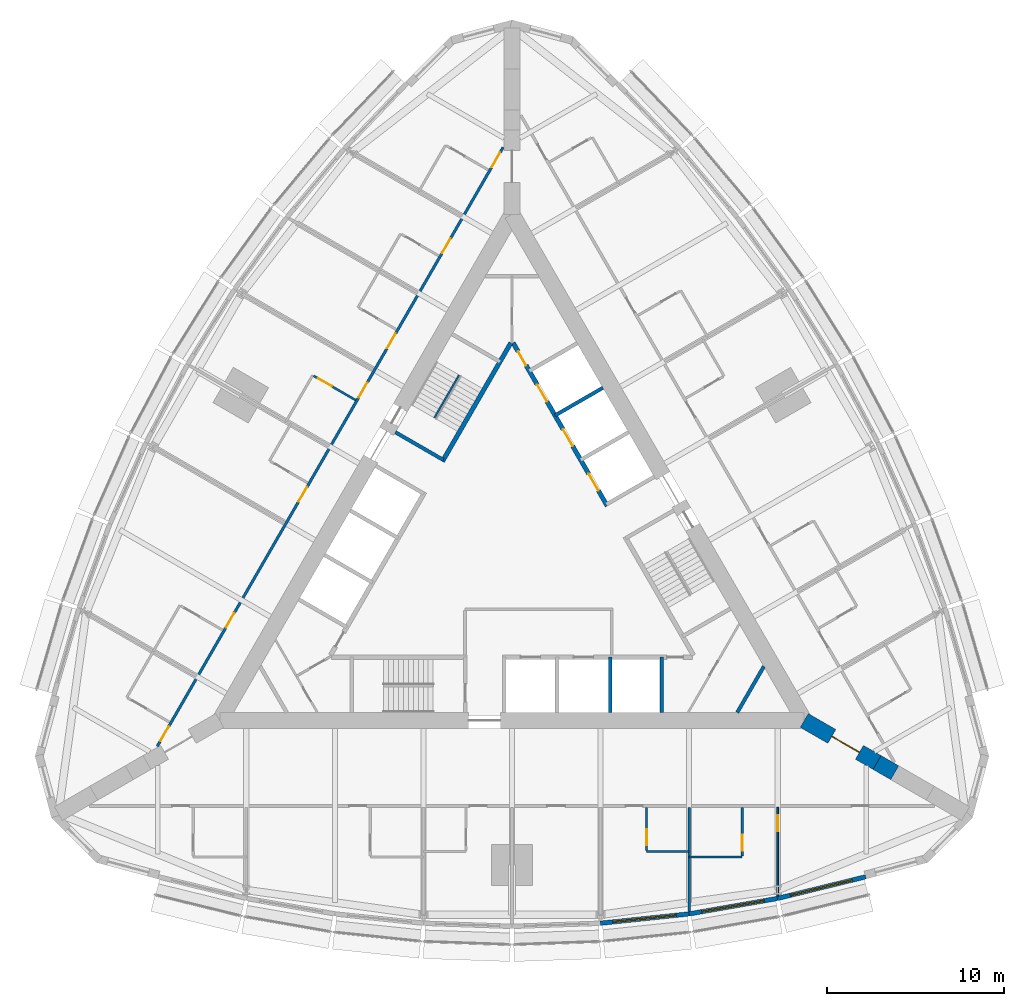
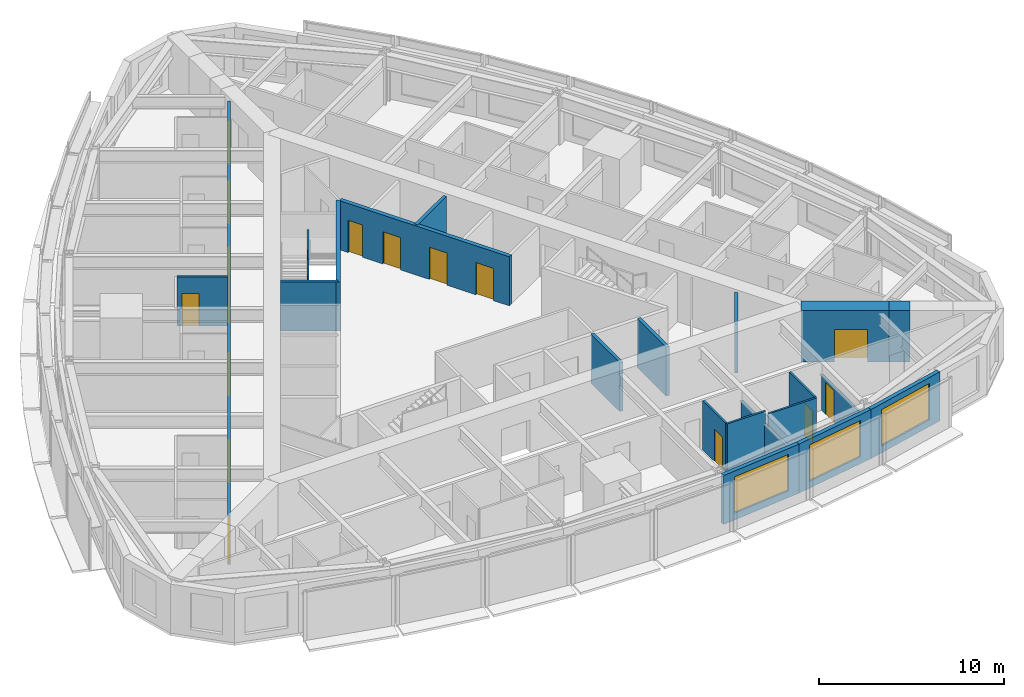
# One storey, part 10 of 14: 21 walls, 16 doors, 3 windows, 19 openings.
"""IFC4 building model written with IfcOpenShell, lengths in metres."""

from ifc_helpers import new_model, si_unit, direction, frame, frame_2d, origin, place, context, subcontext, project, spatial, rectangle, extrude, material, layer, layer_set, type_object, element, fill, save


model = new_model("IFC4")

# Units and contexts
model_context = context("Model", 3, precision=1e-05, world=origin(), true_north=direction((0.0, 1.0)))
body_context = subcontext(model_context, "Body", "Model", "MODEL_VIEW")
ifc_project = project(units=[si_unit("LENGTHUNIT", "METRE"), si_unit("AREAUNIT", "SQUARE_METRE"), si_unit("VOLUMEUNIT", "CUBIC_METRE"), si_unit("PLANEANGLEUNIT", "RADIAN"), si_unit("MASSUNIT", "GRAM", prefix="KILO")], contexts=[model_context])

# Site, building, storey
site_placement = place(None, origin())
site = spatial("IfcSite", under=ifc_project, at=site_placement, CompositionType="ELEMENT")
building_placement = place(site_placement, origin())
building = spatial("IfcBuilding", under=site, at=building_placement, Name="Trikona Tower", CompositionType="ELEMENT")
storey_placement = place(building_placement, frame((0.0, 0.0, 128.300048828125)))
storey = spatial("IfcBuildingStorey", under=building, at=storey_placement, Name="L33", CompositionType="ELEMENT", Elevation=128.300048828125)

# Wall
ifc_material_1 = material(Name="Metal stud and cement board", Category="gypsum")
ifc_layer_1 = layer(ifc_material_1, 0.1201171875)
ifc_layer_set_1 = layer_set([ifc_layer_1], Name="Bathroom wall 120")
wall_type_1 = type_object("IfcWallType", Name="Bathroom wall 120", PredefinedType="PLUMBINGWALL", material=ifc_layer_set_1)
wall_1_placement = place(storey_placement, frame((7.60009765625, -16.92626953125, 0.0), z_axis=(0.0, 0.0, 1.0), x_axis=(1.0, 0.0, 0.0)))
element("IfcWall", 1, at=wall_1_placement, inside=storey, type_object=wall_type_1, Name="Bathroom wall 3304", PredefinedType="PLUMBINGWALL", context=body_context, shape_type="SweptSolid", body=[
    extrude(rectangle(XDim=2.39990234375, YDim=0.1201171875, at=frame_2d((1.199951171875, 0.0))), origin(), (0.0, 0.0, 1.0), 3.23486328125),
])

# Wall, opening, door
wall_2_placement = place(storey_placement, frame((7.60009765625, -14.42626953125, 0.0), z_axis=(0.0, 0.0, 1.0), x_axis=(0.0, -1.0, 0.0)))
wall_2 = element("IfcWall", 2, at=wall_2_placement, inside=storey, type_object=wall_type_1, Name="Bathroom wall 3304", PredefinedType="PLUMBINGWALL", context=body_context, shape_type="SweptSolid", body=[
    extrude(rectangle(XDim=2.43994140625, YDim=0.1201171875, at=frame_2d((1.219970703125, 0.0))), origin(), (0.0, 0.0, 1.0), 3.23486328125),
])
opening_1_placement = place(wall_2_placement, frame((1.25, 0.0, 0.0)))
opening_1 = element("IfcOpeningElement", 3, at=opening_1_placement, cuts=wall_2, Name="Opening D2", PredefinedType="OPENING", context=body_context, shape_type="SweptSolid", body=[
    extrude(rectangle(XDim=0.89990234375, YDim=2.1298828125, at=frame_2d((0.449951171875, 1.06494140625))), frame((0.0, 0.070068359375, 0.0), z_axis=(0.0, -1.0, 0.0), x_axis=(1.0, 0.0, 0.0)), (0.0, 0.0, 1.0), 0.14013671875),
])
ifc_material_2 = material(Name="Steel door frame with solid-core timber leaf", Category="steel")
door_type_1 = type_object("IfcDoorType", Name="Bathroom door 900x2130", OperationType="SLIDING_TO_LEFT", PredefinedType="DOOR", material=ifc_material_2)
door_1_placement = place(opening_1_placement, origin())
door_1 = element("IfcDoor", 4, at=door_1_placement, inside=storey, type_object=door_type_1, Name="Bathroom door 3304", OperationType="SLIDING_TO_LEFT", OverallHeight=2.1298828125, OverallWidth=0.89990234375, PredefinedType="DOOR", context=body_context, shape_type="SweptSolid", body=[
    extrude(rectangle(XDim=0.89990234375, YDim=2.1298828125, at=frame_2d((0.449951171875, 1.06494140625))), frame((0.0, 0.02490234375, 0.0), z_axis=(0.0, -1.0, 0.0), x_axis=(1.0, 0.0, 0.0)), (0.0, 0.0, 1.0), 0.050048828125),
])
fill(opening_1, door_1)

# Wall
wall_3_placement = place(storey_placement, frame((10.0, -17.226318359375, 0.0), z_axis=(0.0, 0.0, 1.0), x_axis=(1.0, 0.0, 0.0)))
element("IfcWall", 5, at=wall_3_placement, inside=storey, type_object=wall_type_1, Name="Bathroom wall 3305.1", PredefinedType="PLUMBINGWALL", context=body_context, shape_type="SweptSolid", body=[
    extrude(rectangle(XDim=3.0, YDim=0.1201171875, at=frame_2d((1.5, 0.0))), origin(), (0.0, 0.0, 1.0), 3.23486328125),
])

# Wall, opening, door
wall_4_placement = place(storey_placement, frame((13.0, -14.42626953125, 0.0), z_axis=(0.0, 0.0, 1.0), x_axis=(0.0, -1.0, 0.0)))
wall_4 = element("IfcWall", 6, at=wall_4_placement, inside=storey, type_object=wall_type_1, Name="Bathroom wall 3305.1", PredefinedType="PLUMBINGWALL", context=body_context, shape_type="SweptSolid", body=[
    extrude(rectangle(XDim=2.739990234375, YDim=0.1201171875, at=frame_2d((1.3701171875, 0.0))), origin(), (0.0, 0.0, 1.0), 3.23486328125),
])
opening_2_placement = place(wall_4_placement, frame((1.550048828125, 0.0, 0.0)))
opening_2 = element("IfcOpeningElement", 7, at=opening_2_placement, cuts=wall_4, Name="Opening D2", PredefinedType="OPENING", context=body_context, shape_type="SweptSolid", body=[
    extrude(rectangle(XDim=0.89990234375, YDim=2.1298828125, at=frame_2d((0.449951171875, 1.06494140625))), frame((0.0, 0.070068359375, 0.0), z_axis=(0.0, -1.0, 0.0), x_axis=(1.0, 0.0, 0.0)), (0.0, 0.0, 1.0), 0.14013671875),
])
door_2_placement = place(opening_2_placement, origin())
door_2 = element("IfcDoor", 8, at=door_2_placement, inside=storey, type_object=door_type_1, Name="Bathroom door 3305.1", OperationType="SLIDING_TO_LEFT", OverallHeight=2.1298828125, OverallWidth=0.89990234375, PredefinedType="DOOR", context=body_context, shape_type="SweptSolid", body=[
    extrude(rectangle(XDim=0.89990234375, YDim=2.1298828125, at=frame_2d((0.449951171875, 1.06494140625))), frame((0.0, 0.02490234375, 0.0), z_axis=(0.0, -1.0, 0.0), x_axis=(1.0, 0.0, 0.0)), (0.0, 0.0, 1.0), 0.050048828125),
])
fill(opening_2, door_2)

wall_5_placement = place(storey_placement, frame((-8.82861328125, 8.561279296875, 0.0), z_axis=(0.0, 0.0, 1.0), x_axis=(-0.866035715982, 0.499982138324, 0.0)))
wall_5 = element("IfcWall", 9, at=wall_5_placement, inside=storey, type_object=wall_type_1, Name="Bathroom wall 3315", PredefinedType="PLUMBINGWALL", context=body_context, shape_type="SweptSolid", body=[
    extrude(rectangle(XDim=2.73974609375, YDim=0.1201171875, at=frame_2d((1.369873046875, 0.0))), origin(), (0.0, 0.0, 1.0), 3.23486328125),
])
opening_3_placement = place(wall_5_placement, frame((1.550048828125, 0.0, 0.0)))
opening_3 = element("IfcOpeningElement", 10, at=opening_3_placement, cuts=wall_5, Name="Opening D2", PredefinedType="OPENING", context=body_context, shape_type="SweptSolid", body=[
    extrude(rectangle(XDim=0.89990234375, YDim=2.1298828125, at=frame_2d((0.449951171875, 1.06494140625))), frame((0.0, 0.070068359375, 0.0), z_axis=(0.0, -1.0, 0.0), x_axis=(1.0, 0.0, 0.0)), (0.0, 0.0, 1.0), 0.14013671875),
])
door_3_placement = place(opening_3_placement, origin())
door_3 = element("IfcDoor", 11, at=door_3_placement, inside=storey, type_object=door_type_1, Name="Bathroom door 3315", OperationType="SLIDING_TO_LEFT", OverallHeight=2.1298828125, OverallWidth=0.89990234375, PredefinedType="DOOR", context=body_context, shape_type="SweptSolid", body=[
    extrude(rectangle(XDim=0.89990234375, YDim=2.1298828125, at=frame_2d((0.449951171875, 1.06494140625))), frame((0.0, 0.02490234375, 0.0), z_axis=(0.0, -1.0, 0.0), x_axis=(1.0, 0.0, 0.0)), (0.0, 0.0, 1.0), 0.050048828125),
])
fill(opening_3, door_3)

ifc_material_3 = material(Name="Concrete f'c 10000 psi", Category="concrete")
ifc_layer_2 = layer(ifc_material_3, 0.89990234375)
ifc_layer_set_2 = layer_set([ifc_layer_2], Name="Buttress wall 900")
wall_type_2 = type_object("IfcWallType", Name="Buttress wall 900", PredefinedType="SHEAR", material=ifc_layer_set_2)
wall_6_placement = place(storey_placement, frame((16.5, -9.5263671875, 0.0), z_axis=(0.0, 0.0, 1.0), x_axis=(0.866031398331, -0.499989616998, 0.0)))
wall_6 = element("IfcWall", 12, at=wall_6_placement, inside=storey, type_object=wall_type_2, Name="Buttress wall 1", PredefinedType="SHEAR", context=body_context, shape_type="SweptSolid", body=[
    extrude(rectangle(XDim=4.74609375, YDim=0.89990234375, at=frame_2d((2.373046875, 0.0))), origin(), (0.0, 0.0, 1.0), 3.39990234375),
])
opening_4_placement = place(wall_6_placement, frame((1.800048828125, 0.0, 0.0)))
opening_4 = element("IfcOpeningElement", 13, at=opening_4_placement, cuts=wall_6, Name="Opening D10", PredefinedType="OPENING", context=body_context, shape_type="SweptSolid", body=[
    extrude(rectangle(XDim=1.800048828125, YDim=2.1298828125, at=frame_2d((0.89990234375, 1.06494140625))), frame((0.0, 0.4599609375, 0.0), z_axis=(0.0, -1.0, 0.0), x_axis=(1.0, 0.0, 0.0)), (0.0, 0.0, 1.0), 0.919921875),
])
ifc_material_4 = material(Name="Hollow metal door and frame", Category="steel")
door_type_2 = type_object("IfcDoorType", Name="Cross-corridor door pair 1800x2130", OperationType="DOUBLE_DOOR_DOUBLE_SWING", PredefinedType="DOOR", material=ifc_material_4)
door_4_placement = place(opening_4_placement, origin())
door_4 = element("IfcDoor", 14, at=door_4_placement, inside=storey, type_object=door_type_2, Name="Cross-corridor door 1", OperationType="DOUBLE_DOOR_DOUBLE_SWING", OverallHeight=2.1298828125, OverallWidth=1.800048828125, PredefinedType="DOOR", context=body_context, shape_type="SweptSolid", body=[
    extrude(rectangle(XDim=1.800048828125, YDim=2.1298828125, at=frame_2d((0.89990234375, 1.06494140625))), frame((0.0, 0.02490234375, 0.0), z_axis=(0.0, -1.0, 0.0), x_axis=(1.0, 0.0, 0.0)), (0.0, 0.0, 1.0), 0.050048828125),
])
fill(opening_4, door_4)

# Wall
wall_7_placement = place(storey_placement, frame((20.6103515625, -11.8994140625, 0.0), z_axis=(0.0, 0.0, 1.0), x_axis=(0.866009537788, -0.500027479704, 0.0)))
element("IfcWall", 15, at=wall_7_placement, inside=storey, type_object=wall_type_2, Name="Buttress wall 1 part 2", PredefinedType="SHEAR", context=body_context, shape_type="SweptSolid", body=[
    extrude(rectangle(XDim=1.15478515625, YDim=0.89990234375, at=frame_2d((0.577392578125, 0.0))), origin(), (0.0, 0.0, 1.0), 3.39990234375),
])

# Wall, openings, doors
ifc_material_5 = material(Name="Metal stud and gypsum board, 1-hour", Category="gypsum")
ifc_layer_3 = layer(ifc_material_5, 0.14990234375)
ifc_layer_set_3 = layer_set([ifc_layer_3], Name="Corridor wall 150")
wall_type_3 = type_object("IfcWallType", Name="Corridor wall 150", PredefinedType="PARTITIONING", material=ifc_layer_set_3)
wall_8_placement = place(storey_placement, frame((-0.5, 22.83642578125, 0.0), z_axis=(0.0, 0.0, 1.0), x_axis=(-0.500001677587, -0.866024435227, 0.0)))
wall_8 = element("IfcWall", 16, at=wall_8_placement, inside=storey, type_object=wall_type_3, Name="Corridor wall L33-3", PredefinedType="PARTITIONING", context=body_context, shape_type="SweptSolid", body=[
    extrude(rectangle(XDim=39.053955078125, YDim=0.14990234375, at=frame_2d((19.52685546875, 0.0))), origin(), (0.0, 0.0, 1.0), 3.23486328125),
])
opening_5_placement = place(wall_8_placement, frame((0.35205078125, 0.0, 0.0)))
opening_5 = element("IfcOpeningElement", 17, at=opening_5_placement, cuts=wall_8, Name="Opening D1", PredefinedType="OPENING", context=body_context, shape_type="SweptSolid", body=[
    extrude(rectangle(XDim=0.949951171875, YDim=2.1298828125, at=frame_2d((0.47509765625, 1.06494140625))), frame((0.0, 0.0849609375, 0.0), z_axis=(0.0, -1.0, 0.0), x_axis=(1.0, 0.0, 0.0)), (0.0, 0.0, 1.0), 0.169921875),
])
opening_6_placement = place(wall_8_placement, frame((5.951904296875, 0.0, 0.0)))
opening_6 = element("IfcOpeningElement", 18, at=opening_6_placement, cuts=wall_8, Name="Opening D1", PredefinedType="OPENING", context=body_context, shape_type="SweptSolid", body=[
    extrude(rectangle(XDim=0.949951171875, YDim=2.1298828125, at=frame_2d((0.47509765625, 1.06494140625))), frame((0.0, 0.0849609375, 0.0), z_axis=(0.0, -1.0, 0.0), x_axis=(1.0, 0.0, 0.0)), (0.0, 0.0, 1.0), 0.169921875),
])
opening_7_placement = place(wall_8_placement, frame((12.152099609375, 0.0, 0.0)))
opening_7 = element("IfcOpeningElement", 19, at=opening_7_placement, cuts=wall_8, Name="Opening D1", PredefinedType="OPENING", context=body_context, shape_type="SweptSolid", body=[
    extrude(rectangle(XDim=0.949951171875, YDim=2.1298828125, at=frame_2d((0.47509765625, 1.06494140625))), frame((0.0, 0.0849609375, 0.0), z_axis=(0.0, -1.0, 0.0), x_axis=(1.0, 0.0, 0.0)), (0.0, 0.0, 1.0), 0.169921875),
])
opening_8_placement = place(wall_8_placement, frame((15.35205078125, 0.0, 0.0)))
opening_8 = element("IfcOpeningElement", 20, at=opening_8_placement, cuts=wall_8, Name="Opening D1", PredefinedType="OPENING", context=body_context, shape_type="SweptSolid", body=[
    extrude(rectangle(XDim=0.949951171875, YDim=2.1298828125, at=frame_2d((0.47509765625, 1.06494140625))), frame((0.0, 0.0849609375, 0.0), z_axis=(0.0, -1.0, 0.0), x_axis=(1.0, 0.0, 0.0)), (0.0, 0.0, 1.0), 0.169921875),
])
opening_9_placement = place(wall_8_placement, frame((22.152099609375, 0.0, 0.0)))
opening_9 = element("IfcOpeningElement", 21, at=opening_9_placement, cuts=wall_8, Name="Opening D1", PredefinedType="OPENING", context=body_context, shape_type="SweptSolid", body=[
    extrude(rectangle(XDim=0.949951171875, YDim=2.1298828125, at=frame_2d((0.47509765625, 1.06494140625))), frame((0.0, 0.0849609375, 0.0), z_axis=(0.0, -1.0, 0.0), x_axis=(1.0, 0.0, 0.0)), (0.0, 0.0, 1.0), 0.169921875),
])
opening_10_placement = place(wall_8_placement, frame((30.35205078125, 0.0, 0.0)))
opening_10 = element("IfcOpeningElement", 22, at=opening_10_placement, cuts=wall_8, Name="Opening D1", PredefinedType="OPENING", context=body_context, shape_type="SweptSolid", body=[
    extrude(rectangle(XDim=0.949951171875, YDim=2.1298828125, at=frame_2d((0.47509765625, 1.06494140625))), frame((0.0, 0.0849609375, 0.0), z_axis=(0.0, -1.0, 0.0), x_axis=(1.0, 0.0, 0.0)), (0.0, 0.0, 1.0), 0.169921875),
])
opening_11_placement = place(wall_8_placement, frame((37.751953125, 0.0, 0.0)))
opening_11 = element("IfcOpeningElement", 23, at=opening_11_placement, cuts=wall_8, Name="Opening D1", PredefinedType="OPENING", context=body_context, shape_type="SweptSolid", body=[
    extrude(rectangle(XDim=0.949951171875, YDim=2.1298828125, at=frame_2d((0.47509765625, 1.06494140625))), frame((0.0, 0.0849609375, 0.0), z_axis=(0.0, -1.0, 0.0), x_axis=(1.0, 0.0, 0.0)), (0.0, 0.0, 1.0), 0.169921875),
])
ifc_material_6 = material(Name="Steel door frame with solid-core timber leaf", Category="steel")
door_type_3 = type_object("IfcDoorType", Name="Guest room door 950x2130", OperationType="SINGLE_SWING_LEFT", PredefinedType="DOOR", material=ifc_material_6)
door_5_placement = place(opening_5_placement, origin())
door_5 = element("IfcDoor", 24, at=door_5_placement, inside=storey, type_object=door_type_3, Name="Room door 3312", OperationType="SINGLE_SWING_LEFT", OverallHeight=2.1298828125, OverallWidth=0.949951171875, PredefinedType="DOOR", context=body_context, shape_type="SweptSolid", body=[
    extrude(rectangle(XDim=0.949951171875, YDim=2.1298828125, at=frame_2d((0.47509765625, 1.06494140625))), frame((0.0, 0.02490234375, 0.0), z_axis=(0.0, -1.0, 0.0), x_axis=(1.0, 0.0, 0.0)), (0.0, 0.0, 1.0), 0.050048828125),
])
fill(opening_5, door_5)
door_6_placement = place(opening_6_placement, origin())
door_6 = element("IfcDoor", 25, at=door_6_placement, inside=storey, type_object=door_type_3, Name="Room door 3313", OperationType="SINGLE_SWING_RIGHT", OverallHeight=2.1298828125, OverallWidth=0.949951171875, PredefinedType="DOOR", context=body_context, shape_type="SweptSolid", body=[
    extrude(rectangle(XDim=0.949951171875, YDim=2.1298828125, at=frame_2d((0.47509765625, 1.06494140625))), frame((0.0, 0.02490234375, 0.0), z_axis=(0.0, -1.0, 0.0), x_axis=(1.0, 0.0, 0.0)), (0.0, 0.0, 1.0), 0.050048828125),
])
fill(opening_6, door_6)
door_7_placement = place(opening_7_placement, origin())
door_7 = element("IfcDoor", 26, at=door_7_placement, inside=storey, type_object=door_type_3, Name="Room door 3314", OperationType="SINGLE_SWING_LEFT", OverallHeight=2.1298828125, OverallWidth=0.949951171875, PredefinedType="DOOR", context=body_context, shape_type="SweptSolid", body=[
    extrude(rectangle(XDim=0.949951171875, YDim=2.1298828125, at=frame_2d((0.47509765625, 1.06494140625))), frame((0.0, 0.02490234375, 0.0), z_axis=(0.0, -1.0, 0.0), x_axis=(1.0, 0.0, 0.0)), (0.0, 0.0, 1.0), 0.050048828125),
])
fill(opening_7, door_7)
door_8_placement = place(opening_8_placement, origin())
door_8 = element("IfcDoor", 27, at=door_8_placement, inside=storey, type_object=door_type_3, Name="Room door 3315", OperationType="SINGLE_SWING_RIGHT", OverallHeight=2.1298828125, OverallWidth=0.949951171875, PredefinedType="DOOR", context=body_context, shape_type="SweptSolid", body=[
    extrude(rectangle(XDim=0.949951171875, YDim=2.1298828125, at=frame_2d((0.47509765625, 1.06494140625))), frame((0.0, 0.02490234375, 0.0), z_axis=(0.0, -1.0, 0.0), x_axis=(1.0, 0.0, 0.0)), (0.0, 0.0, 1.0), 0.050048828125),
])
fill(opening_8, door_8)
door_9_placement = place(opening_9_placement, origin())
door_9 = element("IfcDoor", 28, at=door_9_placement, inside=storey, type_object=door_type_3, Name="Room door 3316", OperationType="SINGLE_SWING_LEFT", OverallHeight=2.1298828125, OverallWidth=0.949951171875, PredefinedType="DOOR", context=body_context, shape_type="SweptSolid", body=[
    extrude(rectangle(XDim=0.949951171875, YDim=2.1298828125, at=frame_2d((0.47509765625, 1.06494140625))), frame((0.0, 0.02490234375, 0.0), z_axis=(0.0, -1.0, 0.0), x_axis=(1.0, 0.0, 0.0)), (0.0, 0.0, 1.0), 0.050048828125),
])
fill(opening_9, door_9)
door_10_placement = place(opening_10_placement, origin())
door_10 = element("IfcDoor", 29, at=door_10_placement, inside=storey, type_object=door_type_3, Name="Room door 3317", OperationType="SINGLE_SWING_RIGHT", OverallHeight=2.1298828125, OverallWidth=0.949951171875, PredefinedType="DOOR", context=body_context, shape_type="SweptSolid", body=[
    extrude(rectangle(XDim=0.949951171875, YDim=2.1298828125, at=frame_2d((0.47509765625, 1.06494140625))), frame((0.0, 0.02490234375, 0.0), z_axis=(0.0, -1.0, 0.0), x_axis=(1.0, 0.0, 0.0)), (0.0, 0.0, 1.0), 0.050048828125),
])
fill(opening_10, door_10)
door_11_placement = place(opening_11_placement, origin())
door_11 = element("IfcDoor", 30, at=door_11_placement, inside=storey, type_object=door_type_3, Name="Room door 3318", OperationType="SINGLE_SWING_RIGHT", OverallHeight=2.1298828125, OverallWidth=0.949951171875, PredefinedType="DOOR", context=body_context, shape_type="SweptSolid", body=[
    extrude(rectangle(XDim=0.949951171875, YDim=2.1298828125, at=frame_2d((0.47509765625, 1.06494140625))), frame((0.0, 0.02490234375, 0.0), z_axis=(0.0, -1.0, 0.0), x_axis=(1.0, 0.0, 0.0)), (0.0, 0.0, 1.0), 0.050048828125),
])
fill(opening_11, door_11)

ifc_material_7 = material(Name="Concrete f'c 8000 psi", Category="concrete")
ifc_layer_4 = layer(ifc_material_7, 0.25)
ifc_layer_set_4 = layer_set([ifc_layer_4], Name="Hub wall 250")
wall_type_4 = type_object("IfcWallType", Name="Hub wall 250", PredefinedType="SOLIDWALL", material=ifc_layer_set_4)
wall_9_placement = place(storey_placement, frame((5.37890625, 2.5859375, 0.0), z_axis=(0.0, 0.0, 1.0), x_axis=(-0.500001375892, 0.866024609411, 0.0)))
wall_9 = element("IfcWall", 31, at=wall_9_placement, inside=storey, type_object=wall_type_4, Name="Lift lobby wall B2", PredefinedType="SOLIDWALL", context=body_context, shape_type="SweptSolid", body=[
    extrude(rectangle(XDim=10.6328125, YDim=0.25, at=frame_2d((5.31640625, 0.0))), origin(), (0.0, 0.0, 1.0), 3.23486328125),
])
opening_12_placement = place(wall_9_placement, frame((9.1640625, 0.0, 0.0)))
opening_12 = element("IfcOpeningElement", 32, at=opening_12_placement, cuts=wall_9, Name="Opening D14", PredefinedType="OPENING", context=body_context, shape_type="SweptSolid", body=[
    extrude(rectangle(XDim=0.89990234375, YDim=2.1298828125, at=frame_2d((0.449951171875, 1.06494140625))), frame((0.0, 0.135009765625, 0.0), z_axis=(0.0, -1.0, 0.0), x_axis=(1.0, 0.0, 0.0)), (0.0, 0.0, 1.0), 0.27001953125),
])
opening_13_placement = place(wall_9_placement, frame((1.0, 0.0, 0.0)))
opening_13 = element("IfcOpeningElement", 33, at=opening_13_placement, cuts=wall_9, Name="Opening LD", PredefinedType="OPENING", context=body_context, shape_type="SweptSolid", body=[
    extrude(rectangle(XDim=1.10009765625, YDim=2.1298828125, at=frame_2d((0.550048828125, 1.06494140625))), frame((0.0, 0.135009765625, 0.0), z_axis=(0.0, -1.0, 0.0), x_axis=(1.0, 0.0, 0.0)), (0.0, 0.0, 1.0), 0.27001953125),
])
opening_14_placement = place(wall_9_placement, frame((3.89990234375, 0.0, 0.0)))
opening_14 = element("IfcOpeningElement", 34, at=opening_14_placement, cuts=wall_9, Name="Opening LD", PredefinedType="OPENING", context=body_context, shape_type="SweptSolid", body=[
    extrude(rectangle(XDim=1.10009765625, YDim=2.1298828125, at=frame_2d((0.550048828125, 1.06494140625))), frame((0.0, 0.135009765625, 0.0), z_axis=(0.0, -1.0, 0.0), x_axis=(1.0, 0.0, 0.0)), (0.0, 0.0, 1.0), 0.27001953125),
])
opening_15_placement = place(wall_9_placement, frame((6.800048828125, 0.0, 0.0)))
opening_15 = element("IfcOpeningElement", 35, at=opening_15_placement, cuts=wall_9, Name="Opening LD", PredefinedType="OPENING", context=body_context, shape_type="SweptSolid", body=[
    extrude(rectangle(XDim=1.10009765625, YDim=2.1298828125, at=frame_2d((0.550048828125, 1.06494140625))), frame((0.0, 0.135009765625, 0.0), z_axis=(0.0, -1.0, 0.0), x_axis=(1.0, 0.0, 0.0)), (0.0, 0.0, 1.0), 0.27001953125),
])
ifc_material_8 = material(Name="Stainless steel lift landing door", Category="steel")
door_type_4 = type_object("IfcDoorType", Name="Lift landing door 1100x2130", OperationType="DOUBLE_DOOR_SLIDING", PredefinedType="USERDEFINED", material=ifc_material_8)
door_12_placement = place(opening_13_placement, origin())
door_12 = element("IfcDoor", 36, at=door_12_placement, inside=storey, type_object=door_type_4, Name="Lift landing door L2-1", ObjectType="LIFT LANDING DOOR", OperationType="DOUBLE_DOOR_SLIDING", OverallHeight=2.1298828125, OverallWidth=1.10009765625, PredefinedType="USERDEFINED", context=body_context, shape_type="SweptSolid", body=[
    extrude(rectangle(XDim=1.10009765625, YDim=2.1298828125, at=frame_2d((0.550048828125, 1.06494140625))), frame((0.0, 0.02490234375, 0.0), z_axis=(0.0, -1.0, 0.0), x_axis=(1.0, 0.0, 0.0)), (0.0, 0.0, 1.0), 0.050048828125),
])
fill(opening_13, door_12)
door_13_placement = place(opening_14_placement, origin())
door_13 = element("IfcDoor", 37, at=door_13_placement, inside=storey, type_object=door_type_4, Name="Lift landing door L2-2", ObjectType="LIFT LANDING DOOR", OperationType="DOUBLE_DOOR_SLIDING", OverallHeight=2.1298828125, OverallWidth=1.10009765625, PredefinedType="USERDEFINED", context=body_context, shape_type="SweptSolid", body=[
    extrude(rectangle(XDim=1.10009765625, YDim=2.1298828125, at=frame_2d((0.550048828125, 1.06494140625))), frame((0.0, 0.02490234375, 0.0), z_axis=(0.0, -1.0, 0.0), x_axis=(1.0, 0.0, 0.0)), (0.0, 0.0, 1.0), 0.050048828125),
])
fill(opening_14, door_13)
door_14_placement = place(opening_15_placement, origin())
door_14 = element("IfcDoor", 38, at=door_14_placement, inside=storey, type_object=door_type_4, Name="Lift landing door L2-3", ObjectType="LIFT LANDING DOOR", OperationType="DOUBLE_DOOR_SLIDING", OverallHeight=2.1298828125, OverallWidth=1.10009765625, PredefinedType="USERDEFINED", context=body_context, shape_type="SweptSolid", body=[
    extrude(rectangle(XDim=1.10009765625, YDim=2.1298828125, at=frame_2d((0.550048828125, 1.06494140625))), frame((0.0, 0.02490234375, 0.0), z_axis=(0.0, -1.0, 0.0), x_axis=(1.0, 0.0, 0.0)), (0.0, 0.0, 1.0), 0.050048828125),
])
fill(opening_15, door_14)
ifc_material_9 = material(Name="Hollow metal door and frame", Category="steel")
door_type_5 = type_object("IfcDoorType", Name="Service room door 900x2130", OperationType="SINGLE_SWING_LEFT", PredefinedType="DOOR", material=ifc_material_9)
door_15_placement = place(opening_12_placement, origin())
door_15 = element("IfcDoor", 39, at=door_15_placement, inside=storey, type_object=door_type_5, Name="Door Ice and vending ICE", OperationType="SINGLE_SWING_RIGHT", OverallHeight=2.1298828125, OverallWidth=0.89990234375, PredefinedType="DOOR", context=body_context, shape_type="SweptSolid", body=[
    extrude(rectangle(XDim=0.89990234375, YDim=2.1298828125, at=frame_2d((0.449951171875, 1.06494140625))), frame((0.0, 0.02490234375, 0.0), z_axis=(0.0, -1.0, 0.0), x_axis=(1.0, 0.0, 0.0)), (0.0, 0.0, 1.0), 0.050048828125),
])
fill(opening_12, door_15)

# Wall
wall_10_placement = place(storey_placement, frame((-0.0625, 11.794189453125, 0.0), z_axis=(0.0, 0.0, 1.0), x_axis=(-0.500006680225, -0.86602154692, 0.0)))
element("IfcWall", 40, at=wall_10_placement, inside=storey, type_object=wall_type_4, Name="Lift lobby wall C1", PredefinedType="SOLIDWALL", context=body_context, shape_type="SweptSolid", body=[
    extrude(rectangle(XDim=7.73291015625, YDim=0.25, at=frame_2d((3.866455078125, 0.0))), origin(), (0.0, 0.0, 1.0), 3.23486328125),
])

# Wall, opening, window
ifc_material_10 = material(Name="Insulated precast concrete spandrel panel", Category="concrete")
ifc_layer_5 = layer(ifc_material_10, 0.25)
ifc_layer_set_5 = layer_set([ifc_layer_5], Name="Inner skin wall 250")
wall_type_5 = type_object("IfcWallType", Name="Inner skin wall 250", PredefinedType="STANDARD", material=ifc_layer_set_5)
wall_11_placement = place(storey_placement, frame((4.98681640625, -20.975830078125, 0.0), z_axis=(0.0, 0.0, 1.0), x_axis=(0.994534683851, 0.104406717299, 0.0)))
wall_11 = element("IfcWall", 41, at=wall_11_placement, inside=storey, type_object=wall_type_5, Name="External wall L33-05", PredefinedType="STANDARD", context=body_context, shape_type="SweptSolid", body=[
    extrude(rectangle(XDim=5.027587890625, YDim=0.25, at=frame_2d((2.513671875, 0.0))), origin(), (0.0, 0.0, 1.0), 3.23486328125),
])
opening_16_placement = place(wall_11_placement, frame((0.713623046875, 0.0, 0.449951171875)))
opening_16 = element("IfcOpeningElement", 42, at=opening_16_placement, cuts=wall_11, Name="Opening W3624", PredefinedType="OPENING", context=body_context, shape_type="SweptSolid", body=[
    extrude(rectangle(XDim=3.60009765625, YDim=2.39990234375, at=frame_2d((1.800048828125, 1.199951171875))), frame((0.0, 0.135009765625, 0.0), z_axis=(0.0, -1.0, 0.0), x_axis=(1.0, 0.0, 0.0)), (0.0, 0.0, 1.0), 0.27001953125),
])
ifc_material_11 = material(Name="Aluminium-framed double glazing", Category="aluminium")
window_type = type_object("IfcWindowType", Name="Window 3600x2400", PartitioningType="SINGLE_PANEL", PredefinedType="WINDOW", material=ifc_material_11)
window_1_placement = place(opening_16_placement, origin())
window_1 = element("IfcWindow", 43, at=window_1_placement, inside=storey, type_object=window_type, Name="Window 3304", OverallHeight=2.39990234375, OverallWidth=3.60009765625, PartitioningType="SINGLE_PANEL", PredefinedType="WINDOW", context=body_context, shape_type="SweptSolid", body=[
    extrude(rectangle(XDim=3.60009765625, YDim=2.39990234375, at=frame_2d((1.800048828125, 1.199951171875))), frame((0.0, 0.030029296875, 0.0), z_axis=(0.0, -1.0, 0.0), x_axis=(1.0, 0.0, 0.0)), (0.0, 0.0, 1.0), 0.06005859375),
])
fill(opening_16, window_1)

wall_12_placement = place(storey_placement, frame((9.978515625, -20.4521484375, 0.0), z_axis=(0.0, 0.0, 1.0), x_axis=(0.985030467156, 0.172380331752, 0.0)))
wall_12 = element("IfcWall", 44, at=wall_12_placement, inside=storey, type_object=wall_type_5, Name="External wall L33-06", PredefinedType="STANDARD", context=body_context, shape_type="SweptSolid", body=[
    extrude(rectangle(XDim=5.075927734375, YDim=0.25, at=frame_2d((2.5380859375, 0.0))), origin(), (0.0, 0.0, 1.0), 3.23486328125),
])
opening_17_placement = place(wall_12_placement, frame((0.738037109375, 0.0, 0.449951171875)))
opening_17 = element("IfcOpeningElement", 45, at=opening_17_placement, cuts=wall_12, Name="Opening W3624", PredefinedType="OPENING", context=body_context, shape_type="SweptSolid", body=[
    extrude(rectangle(XDim=3.60009765625, YDim=2.39990234375, at=frame_2d((1.800048828125, 1.199951171875))), frame((0.0, 0.135009765625, 0.0), z_axis=(0.0, -1.0, 0.0), x_axis=(1.0, 0.0, 0.0)), (0.0, 0.0, 1.0), 0.27001953125),
])
window_2_placement = place(opening_17_placement, origin())
window_2 = element("IfcWindow", 46, at=window_2_placement, inside=storey, type_object=window_type, Name="Window 3305.1", OverallHeight=2.39990234375, OverallWidth=3.60009765625, PartitioningType="SINGLE_PANEL", PredefinedType="WINDOW", context=body_context, shape_type="SweptSolid", body=[
    extrude(rectangle(XDim=3.60009765625, YDim=2.39990234375, at=frame_2d((1.800048828125, 1.199951171875))), frame((0.0, 0.030029296875, 0.0), z_axis=(0.0, -1.0, 0.0), x_axis=(1.0, 0.0, 0.0)), (0.0, 0.0, 1.0), 0.06005859375),
])
fill(opening_17, window_2)

wall_13_placement = place(storey_placement, frame((14.97021484375, -19.578857421875, 0.0), z_axis=(0.0, 0.0, 1.0), x_axis=(0.971270024053, 0.237980126011, 0.0)))
wall_13 = element("IfcWall", 47, at=wall_13_placement, inside=storey, type_object=wall_type_5, Name="External wall L33-07", PredefinedType="STANDARD", context=body_context, shape_type="SweptSolid", body=[
    extrude(rectangle(XDim=5.14794921875, YDim=0.25, at=frame_2d((2.573974609375, 0.0))), origin(), (0.0, 0.0, 1.0), 3.23486328125),
])
opening_18_placement = place(wall_13_placement, frame((0.77392578125, 0.0, 0.449951171875)))
opening_18 = element("IfcOpeningElement", 48, at=opening_18_placement, cuts=wall_13, Name="Opening W3624", PredefinedType="OPENING", context=body_context, shape_type="SweptSolid", body=[
    extrude(rectangle(XDim=3.60009765625, YDim=2.39990234375, at=frame_2d((1.800048828125, 1.199951171875))), frame((0.0, 0.135009765625, 0.0), z_axis=(0.0, -1.0, 0.0), x_axis=(1.0, 0.0, 0.0)), (0.0, 0.0, 1.0), 0.27001953125),
])
window_3_placement = place(opening_18_placement, origin())
window_3 = element("IfcWindow", 49, at=window_3_placement, inside=storey, type_object=window_type, Name="Window 3305", OverallHeight=2.39990234375, OverallWidth=3.60009765625, PartitioningType="SINGLE_PANEL", PredefinedType="WINDOW", context=body_context, shape_type="SweptSolid", body=[
    extrude(rectangle(XDim=3.60009765625, YDim=2.39990234375, at=frame_2d((1.800048828125, 1.199951171875))), frame((0.0, 0.030029296875, 0.0), z_axis=(0.0, -1.0, 0.0), x_axis=(1.0, 0.0, 0.0)), (0.0, 0.0, 1.0), 0.06005859375),
])
fill(opening_18, window_3)

# Walls
ifc_material_12 = material(Name="Metal stud and gypsum board, 1-hour acoustic", Category="gypsum")
ifc_layer_6 = layer(ifc_material_12, 0.14990234375)
ifc_layer_set_6 = layer_set([ifc_layer_6], Name="Party wall 150")
wall_type_6 = type_object("IfcWallType", Name="Party wall 150", PredefinedType="PARTITIONING", material=ifc_layer_set_6)
wall_14_placement = place(storey_placement, frame((10.0, -14.42626953125, 0.0), z_axis=(0.0, 0.0, 1.0), x_axis=(0.0, -1.0, 0.0)))
element("IfcWall", 50, at=wall_14_placement, inside=storey, type_object=wall_type_6, Name="Partition L33 F1 u10", PredefinedType="PARTITIONING", context=body_context, shape_type="SweptSolid", body=[
    extrude(rectangle(XDim=5.89501953125, YDim=0.14990234375, at=frame_2d((2.947509765625, 0.0))), origin(), (0.0, 0.0, 1.0), 2.38916015625),
])
ifc_material_13 = material(Name="Concrete f'c 8000 psi", Category="concrete")
ifc_layer_7 = layer(ifc_material_13, 0.199951171875)
ifc_layer_set_7 = layer_set([ifc_layer_7], Name="Shaft wall 200")
wall_type_7 = type_object("IfcWallType", Name="Shaft wall 200", PredefinedType="SOLIDWALL", material=ifc_layer_set_7)
for number, where, z_axis, x_axis, name in (
    (51, (5.550048828125, -5.951416015625, 0.0), (0.0, 0.0, 1.0), (0.0, -1.0, 0.0), "Shaft wall A5"),
    (52, (8.449951171875, -5.951416015625, 0.0), (0.0, 0.0, 1.0), (0.0, -1.0, 0.0), "Shaft wall A6"),
    (53, (2.428955078125, 7.695556640625, 0.0), (0.0, 0.0, 1.0), (0.866022959057, 0.500004234368, 0.0), "Shaft wall B5"),
):
    element("IfcWall", number, at=place(storey_placement, frame(where, z_axis=z_axis, x_axis=x_axis)), inside=storey, type_object=wall_type_7, Name=name, PredefinedType="SOLIDWALL", context=body_context, shape_type="SweptSolid", body=[
        extrude(rectangle(XDim=3.125, YDim=0.199951171875, at=frame_2d((1.5625, 0.0))), origin(), (0.0, 0.0, 1.0), 3.23486328125),
    ])
wall_15_placement = place(storey_placement, frame((14.219482421875, -6.476318359375, 0.0), z_axis=(0.0, 0.0, 1.0), x_axis=(-0.499952404951, -0.866052881055, 0.0)))
element("IfcWall", 54, at=wall_15_placement, inside=storey, type_object=wall_type_7, Name="Riser wall L33-RS1", PredefinedType="SOLIDWALL", context=body_context, shape_type="SweptSolid", body=[
    extrude(rectangle(XDim=3.002197265625, YDim=0.199951171875, at=frame_2d((1.5009765625, 0.0))), origin(), (0.0, 0.0, 1.0), 3.23486328125),
])
ifc_material_14 = material(Name="Concrete f'c 8000 psi", Category="concrete")
ifc_layer_8 = layer(ifc_material_14, 0.199951171875)
ifc_layer_set_8 = layer_set([ifc_layer_8], Name="Shaft wall 200 load-bearing")
wall_type_8 = type_object("IfcWallType", Name="Shaft wall 200 load-bearing", PredefinedType="SOLIDWALL", material=ifc_layer_set_8)
wall_16_placement = place(storey_placement, frame((-3.87890625, 5.18408203125, 0.0), z_axis=(0.0, 0.0, 1.0), x_axis=(-0.866022959057, 0.500004234368, 0.0)))
element("IfcWall", 55, at=wall_16_placement, inside=storey, type_object=wall_type_8, Name="Shaft wall C2", PredefinedType="SOLIDWALL", context=body_context, shape_type="SweptSolid", body=[
    extrude(rectangle(XDim=3.125, YDim=0.199951171875, at=frame_2d((1.5625, 0.0))), origin(), (0.0, 0.0, 1.0), 3.23486328125),
])
ifc_material_15 = material(Name="Concrete f'c 5000 psi", Category="concrete")
ifc_layer_9 = layer(ifc_material_15, 0.10009765625)
ifc_layer_set_9 = layer_set([ifc_layer_9], Name="Stair spine wall 100")
wall_type_9 = type_object("IfcWallType", Name="Stair spine wall 100", PredefinedType="SOLIDWALL", material=ifc_layer_set_9)
wall_17_placement = place(storey_placement, frame((-2.98779296875, 9.9775390625, 0.0), z_axis=(0.0, 0.0, 1.0), x_axis=(-0.499992232847, -0.866029888106, 0.0)))
element("IfcWall", 56, at=wall_17_placement, inside=storey, type_object=wall_type_9, Name="Stair C spine wall L33", PredefinedType="SOLIDWALL", context=body_context, shape_type="SweptSolid", body=[
    extrude(rectangle(XDim=2.7939453125, YDim=0.10009765625, at=frame_2d((1.39697265625, 0.0))), origin(), (0.0, 0.0, 1.0), 3.39990234375),
])

# Wall, opening, door
ifc_material_16 = material(Name="Metal stud and gypsum board, acoustic", Category="gypsum")
ifc_layer_10 = layer(ifc_material_16, 0.10009765625)
ifc_layer_set_10 = layer_set([ifc_layer_10], Name="Suite partition 100")
wall_type_10 = type_object("IfcWallType", Name="Suite partition 100", PredefinedType="PARTITIONING", material=ifc_layer_set_10)
wall_18_placement = place(storey_placement, frame((15.0, -14.42626953125, 0.0), z_axis=(0.0, 0.0, 1.0), x_axis=(0.0, -1.0, 0.0)))
wall_18 = element("IfcWall", 57, at=wall_18_placement, inside=storey, type_object=wall_type_10, Name="Suite partition L33 F1 u15", PredefinedType="PARTITIONING", context=body_context, shape_type="SweptSolid", body=[
    extrude(rectangle(XDim=5.0166015625, YDim=0.10009765625, at=frame_2d((2.50830078125, 0.0))), origin(), (0.0, 0.0, 1.0), 2.38916015625),
])
opening_19_placement = place(wall_18_placement, frame((0.449951171875, 0.0, 0.0)))
opening_19 = element("IfcOpeningElement", 58, at=opening_19_placement, cuts=wall_18, Name="Opening D13", PredefinedType="OPENING", context=body_context, shape_type="SweptSolid", body=[
    extrude(rectangle(XDim=0.89990234375, YDim=2.1298828125, at=frame_2d((0.449951171875, 1.06494140625))), frame((0.0, 0.06005859375, 0.0), z_axis=(0.0, -1.0, 0.0), x_axis=(1.0, 0.0, 0.0)), (0.0, 0.0, 1.0), 0.1201171875),
])
ifc_material_17 = material(Name="Steel door frame with solid-core timber leaf", Category="steel")
door_type_6 = type_object("IfcDoorType", Name="Suite door 900x2130", OperationType="SINGLE_SWING_LEFT", PredefinedType="DOOR", material=ifc_material_17)
door_16_placement = place(opening_19_placement, origin())
door_16 = element("IfcDoor", 59, at=door_16_placement, inside=storey, type_object=door_type_6, Name="Suite door 3305", OperationType="SINGLE_SWING_LEFT", OverallHeight=2.1298828125, OverallWidth=0.89990234375, PredefinedType="DOOR", context=body_context, shape_type="SweptSolid", body=[
    extrude(rectangle(XDim=0.89990234375, YDim=2.1298828125, at=frame_2d((0.449951171875, 1.06494140625))), frame((0.0, 0.02490234375, 0.0), z_axis=(0.0, -1.0, 0.0), x_axis=(1.0, 0.0, 0.0)), (0.0, 0.0, 1.0), 0.050048828125),
])
fill(opening_19, door_16)

save(model, "model.ifc")
